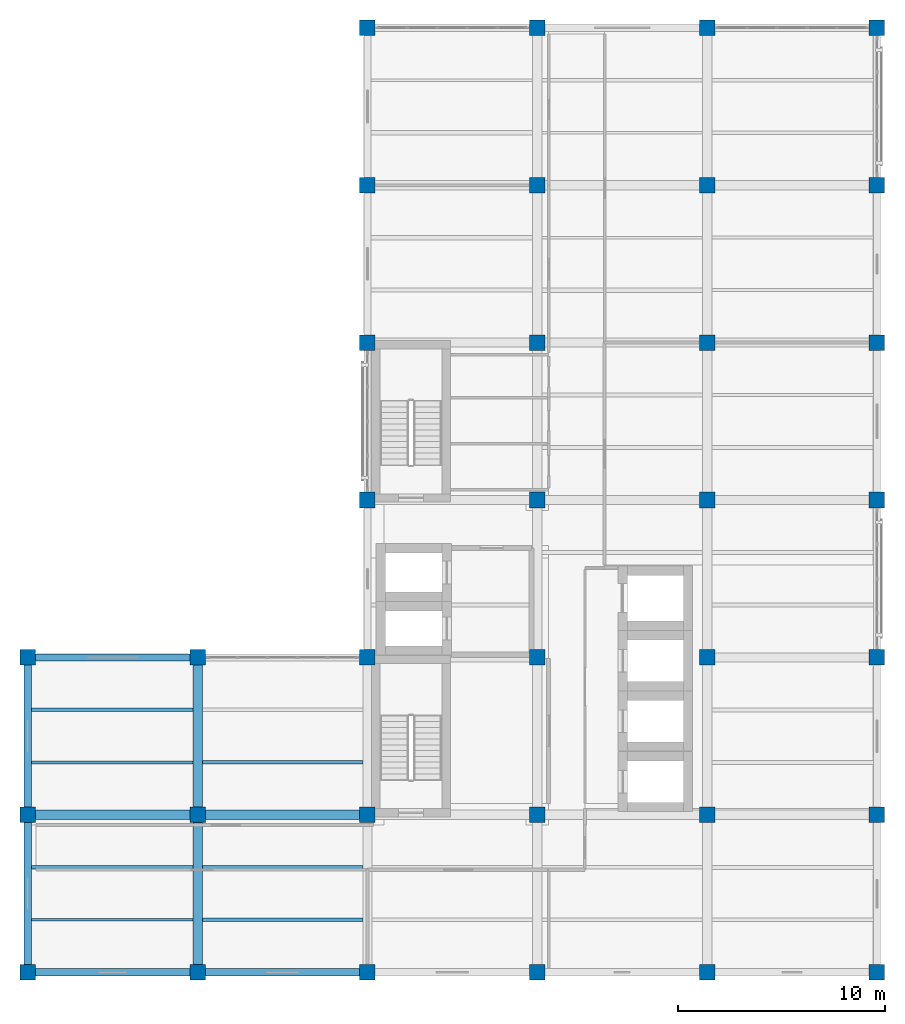
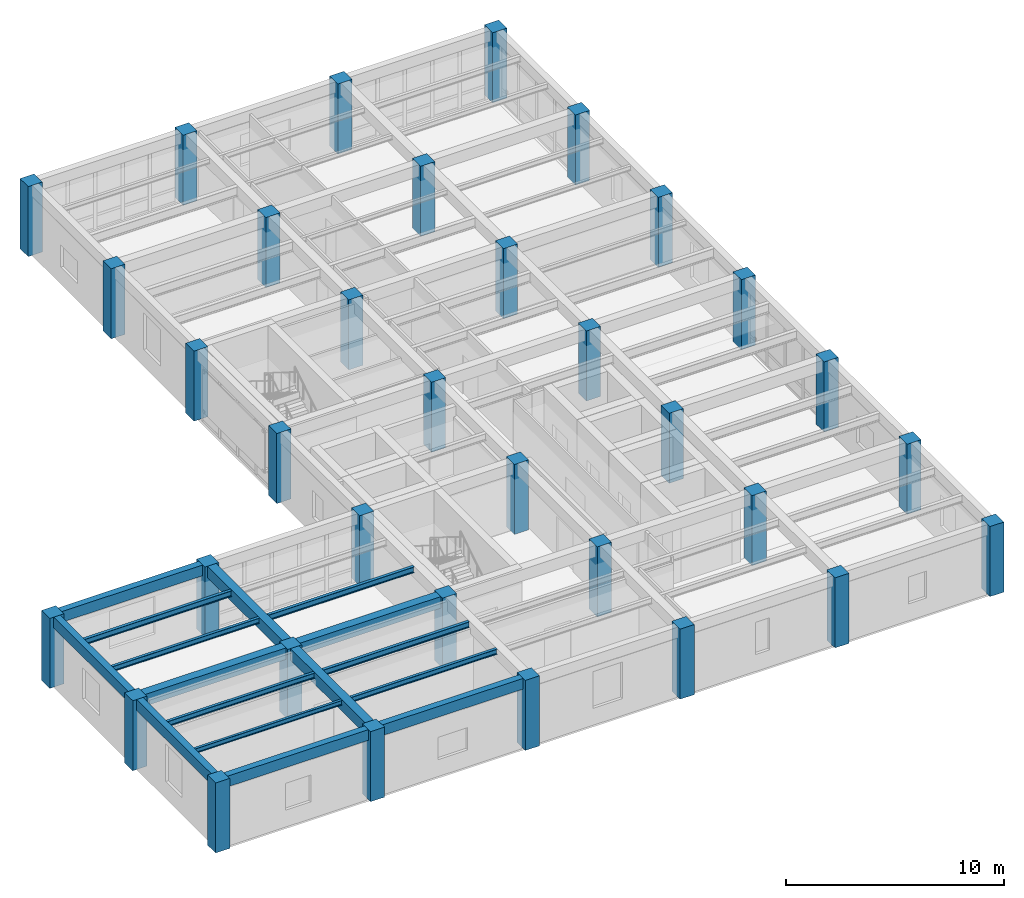
# One storey, part 1 of 13: 34 columns, 16 beams.
"""IFC4 building model written with IfcOpenShell, lengths in metres."""

from ifc_helpers import new_model, si_unit, direction, frame, origin, origin_2d, place, context, subcontext, project, spatial, rectangle, i_section, extrude, material, material_profile, profile_set, type_object, element, save


model = new_model("IFC4")

# Units and contexts
model_context = context("Model", 3, precision=1e-05, world=origin(), true_north=direction((0.0, 1.0)))
body_context = subcontext(model_context, "Body", "Model", "MODEL_VIEW")
ifc_project = project(units=[si_unit("LENGTHUNIT", "METRE"), si_unit("AREAUNIT", "SQUARE_METRE"), si_unit("VOLUMEUNIT", "CUBIC_METRE"), si_unit("PLANEANGLEUNIT", "RADIAN"), si_unit("MASSUNIT", "GRAM", prefix="KILO")], contexts=[model_context])

# Site, building, storey
site_placement = place(None, origin())
site = spatial("IfcSite", under=ifc_project, at=site_placement, CompositionType="ELEMENT")
building_placement = place(site_placement, origin())
building = spatial("IfcBuilding", under=site, at=building_placement, Name="Qandaris Square Conservatory and Botanical Centre", CompositionType="ELEMENT")
storey_placement = place(building_placement, frame((0.0, 0.0, 57.60009765625)))
storey = spatial("IfcBuildingStorey", under=building, at=storey_placement, Name="L13", CompositionType="ELEMENT", Elevation=57.60009765625)

# Columns
ifc_material_1 = material(Name="Concrete C50/60", Category="concrete")
ifc_material_profile_1 = material_profile(ifc_material_1, rectangle(XDim=0.75, YDim=0.75, at=origin_2d()), Name="RC-COL 750x750")
ifc_profile_set_1 = profile_set([ifc_material_profile_1], Name="Concrete C50/60")
column_type = type_object("IfcColumnType", Name="RC Column 750x750", PredefinedType="COLUMN", material=ifc_profile_set_1)
for number, where, z_axis, x_axis, name in (
    (1, (122.800048828125, 16.60009765625, 0.0), (0.0, 0.0, 1.0), (1.0, 0.0, 0.0), "Column B15 (L13)"),
    (2, (122.800048828125, 24.199951171875, 0.0), (0.0, 0.0, 1.0), (1.0, 0.0, 0.0), "Column C15 (L13)"),
    (3, (122.800048828125, 31.800048828125, 0.0), (0.0, 0.0, 1.0), (1.0, 0.0, 0.0), "Column D15 (L13)"),
    (4, (131.0, 16.60009765625, 0.0), (0.0, 0.0, 1.0), (1.0, 0.0, 0.0), "Column B16 (L13)"),
    (5, (131.0, 24.199951171875, 0.0), (0.0, 0.0, 1.0), (1.0, 0.0, 0.0), "Column C16 (L13)"),
    (6, (131.0, 31.800048828125, 0.0), (0.0, 0.0, 1.0), (1.0, 0.0, 0.0), "Column D16 (L13)"),
    (7, (139.199951171875, 16.60009765625, 0.0), (0.0, 0.0, 1.0), (1.0, 0.0, 0.0), "Column B17 (L13)"),
    (8, (139.199951171875, 24.199951171875, 0.0), (0.0, 0.0, 1.0), (1.0, 0.0, 0.0), "Column C17 (L13)"),
    (9, (139.199951171875, 31.800048828125, 0.0), (0.0, 0.0, 1.0), (1.0, 0.0, 0.0), "Column D17 (L13)"),
    (10, (139.199951171875, 39.39990234375, 0.0), (0.0, 0.0, 1.0), (1.0, 0.0, 0.0), "Column E17 (L13)"),
    (11, (139.199951171875, 47.0, 0.0), (0.0, 0.0, 1.0), (1.0, 0.0, 0.0), "Column F17 (L13)"),
    (12, (139.199951171875, 54.60009765625, 0.0), (0.0, 0.0, 1.0), (1.0, 0.0, 0.0), "Column G17 (L13)"),
    (13, (139.199951171875, 62.199951171875, 0.0), (0.0, 0.0, 1.0), (1.0, 0.0, 0.0), "Column H17 (L13)"),
    (14, (147.39990234375, 16.60009765625, 0.0), (0.0, 0.0, 1.0), (1.0, 0.0, 0.0), "Column B18 (L13)"),
    (15, (147.39990234375, 24.199951171875, 0.0), (0.0, 0.0, 1.0), (1.0, 0.0, 0.0), "Column C18 (L13)"),
    (16, (147.39990234375, 31.800048828125, 0.0), (0.0, 0.0, 1.0), (1.0, 0.0, 0.0), "Column D18 (L13)"),
    (17, (147.39990234375, 39.39990234375, 0.0), (0.0, 0.0, 1.0), (1.0, 0.0, 0.0), "Column E18 (L13)"),
    (18, (147.39990234375, 47.0, 0.0), (0.0, 0.0, 1.0), (1.0, 0.0, 0.0), "Column F18 (L13)"),
    (19, (147.39990234375, 54.60009765625, 0.0), (0.0, 0.0, 1.0), (1.0, 0.0, 0.0), "Column G18 (L13)"),
    (20, (147.39990234375, 62.199951171875, 0.0), (0.0, 0.0, 1.0), (1.0, 0.0, 0.0), "Column H18 (L13)"),
    (21, (155.60009765625, 16.60009765625, 0.0), (0.0, 0.0, 1.0), (1.0, 0.0, 0.0), "Column B19 (L13)"),
    (22, (155.60009765625, 24.199951171875, 0.0), (0.0, 0.0, 1.0), (1.0, 0.0, 0.0), "Column C19 (L13)"),
    (23, (155.60009765625, 31.800048828125, 0.0), (0.0, 0.0, 1.0), (1.0, 0.0, 0.0), "Column D19 (L13)"),
    (24, (155.60009765625, 39.39990234375, 0.0), (0.0, 0.0, 1.0), (1.0, 0.0, 0.0), "Column E19 (L13)"),
    (25, (155.60009765625, 47.0, 0.0), (0.0, 0.0, 1.0), (1.0, 0.0, 0.0), "Column F19 (L13)"),
    (26, (155.60009765625, 54.60009765625, 0.0), (0.0, 0.0, 1.0), (1.0, 0.0, 0.0), "Column G19 (L13)"),
    (27, (155.60009765625, 62.199951171875, 0.0), (0.0, 0.0, 1.0), (1.0, 0.0, 0.0), "Column H19 (L13)"),
    (28, (163.800048828125, 16.60009765625, 0.0), (0.0, 0.0, 1.0), (1.0, 0.0, 0.0), "Column B20 (L13)"),
    (29, (163.800048828125, 24.199951171875, 0.0), (0.0, 0.0, 1.0), (1.0, 0.0, 0.0), "Column C20 (L13)"),
    (30, (163.800048828125, 31.800048828125, 0.0), (0.0, 0.0, 1.0), (1.0, 0.0, 0.0), "Column D20 (L13)"),
    (31, (163.800048828125, 39.39990234375, 0.0), (0.0, 0.0, 1.0), (1.0, 0.0, 0.0), "Column E20 (L13)"),
    (32, (163.800048828125, 47.0, 0.0), (0.0, 0.0, 1.0), (1.0, 0.0, 0.0), "Column F20 (L13)"),
    (33, (163.800048828125, 54.60009765625, 0.0), (0.0, 0.0, 1.0), (1.0, 0.0, 0.0), "Column G20 (L13)"),
    (34, (163.800048828125, 62.199951171875, 0.0), (0.0, 0.0, 1.0), (1.0, 0.0, 0.0), "Column H20 (L13)"),
):
    element("IfcColumn", number, at=place(storey_placement, frame(where, z_axis=z_axis, x_axis=x_axis)), inside=storey, type_object=column_type, Name=name, PredefinedType="COLUMN", context=body_context, shape_type="SweptSolid", body=[
        extrude(rectangle(XDim=0.75, YDim=0.75, at=origin_2d()), origin(), (0.0, 0.0, 1.0), 3.919921875),
    ])

# Beams
ifc_material_2 = material(Name="Steel S355", Category="steel")
ifc_material_profile_2 = material_profile(ifc_material_2, i_section(OverallWidth=0.14990234375, OverallDepth=0.300048828125, WebThickness=0.007080078125, FlangeThickness=0.0107421875, FilletRadius=0.014892578125, at=origin_2d()), Name="IPE 300")
ifc_profile_set_2 = profile_set([ifc_material_profile_2], Name="Steel S355")
beam_type_1 = type_object("IfcBeamType", Name="Composite Lab Joist IPE 300", PredefinedType="JOIST", material=ifc_profile_set_2)
for number, where, z_axis, x_axis, name in (
    (35, (122.97509765625, 21.666748046875, 3.760009765625), (1.0, 0.0, 0.0), (0.0, 1.0, 0.0), "L13 Composite Joist 2789"),
    (36, (122.97509765625, 26.7333984375, 3.760009765625), (1.0, 0.0, 0.0), (0.0, 1.0, 0.0), "L13 Composite Joist 2790"),
):
    element("IfcBeam", number, at=place(storey_placement, frame(where, z_axis=z_axis, x_axis=x_axis)), inside=storey, type_object=beam_type_1, Name=name, PredefinedType="JOIST", context=body_context, shape_type="SweptSolid", body=[
        extrude(i_section(OverallWidth=0.14990234375, OverallDepth=0.300048828125, WebThickness=0.007080078125, FlangeThickness=0.0107421875, FilletRadius=0.014892578125, at=origin_2d()), origin(), (0.0, 0.0, 1.0), 7.7998046875),
    ])
beam_1_placement = place(storey_placement, frame((131.22509765625, 19.13330078125, 3.760009765625), z_axis=(1.0, 0.0, 0.0), x_axis=(0.0, 1.0, 0.0)))
element("IfcBeam", 37, at=beam_1_placement, inside=storey, type_object=beam_type_1, Name="L13 Composite Joist 2792", PredefinedType="JOIST", context=body_context, shape_type="SweptSolid", body=[
    extrude(i_section(OverallWidth=0.14990234375, OverallDepth=0.300048828125, WebThickness=0.007080078125, FlangeThickness=0.0107421875, FilletRadius=0.014892578125, at=origin_2d()), origin(), (0.0, 0.0, 1.0), 7.75),
])
ifc_material_profile_3 = material_profile(ifc_material_2, i_section(OverallWidth=0.159912109375, OverallDepth=0.330078125, WebThickness=0.007568359375, FlangeThickness=0.011474609375, FilletRadius=0.01806640625, at=origin_2d()), Name="IPE 330")
ifc_profile_set_3 = profile_set([ifc_material_profile_3], Name="Steel S355")
beam_type_2 = type_object("IfcBeamType", Name="Composite Lab Joist IPE 330", PredefinedType="JOIST", material=ifc_profile_set_3)
beam_2_placement = place(storey_placement, frame((122.97509765625, 29.2666015625, 3.744873046875), z_axis=(1.0, 0.0, 0.0), x_axis=(0.0, 1.0, 0.0)))
element("IfcBeam", 38, at=beam_2_placement, inside=storey, type_object=beam_type_2, Name="L13 Composite Joist 2791", PredefinedType="JOIST", context=body_context, shape_type="SweptSolid", body=[
    extrude(i_section(OverallWidth=0.159912109375, OverallDepth=0.330078125, WebThickness=0.007568359375, FlangeThickness=0.011474609375, FilletRadius=0.01806640625, at=origin_2d()), origin(), (0.0, 0.0, 1.0), 7.7998046875),
])
for number, where, z_axis, x_axis, name in (
    (39, (131.22509765625, 21.666748046875, 3.744873046875), (1.0, 0.0, 0.0), (0.0, 1.0, 0.0), "L13 Composite Joist 2793"),
    (40, (131.22509765625, 26.7333984375, 3.744873046875), (1.0, 0.0, 0.0), (0.0, 1.0, 0.0), "L13 Composite Joist 2794"),
):
    element("IfcBeam", number, at=place(storey_placement, frame(where, z_axis=z_axis, x_axis=x_axis)), inside=storey, type_object=beam_type_2, Name=name, PredefinedType="JOIST", context=body_context, shape_type="SweptSolid", body=[
        extrude(i_section(OverallWidth=0.159912109375, OverallDepth=0.330078125, WebThickness=0.007568359375, FlangeThickness=0.011474609375, FilletRadius=0.01806640625, at=origin_2d()), origin(), (0.0, 0.0, 1.0), 7.75),
    ])
ifc_material_profile_4 = material_profile(ifc_material_1, rectangle(XDim=0.35009765625, YDim=0.60009765625, at=origin_2d()), Name="RC-SP 350x600")
ifc_profile_set_4 = profile_set([ifc_material_profile_4], Name="Concrete C50/60")
beam_type_3 = type_object("IfcBeamType", Name="RC Edge Spandrel Beam 350x600", PredefinedType="SPANDREL", material=ifc_profile_set_4)
for number, where, z_axis, x_axis, name in (
    (41, (122.800048828125, 16.60009765625, 3.619873046875), (1.0, 0.0, 0.0), (0.0, 1.0, 0.0), "L13 Frame Beam 2734"),
    (42, (131.0, 16.60009765625, 3.619873046875), (1.0, 0.0, 0.0), (0.0, 1.0, 0.0), "L13 Frame Beam 2735"),
    (43, (122.800048828125, 31.800048828125, 3.619873046875), (1.0, 0.0, 0.0), (0.0, 1.0, 0.0), "L13 Frame Beam 2744"),
):
    element("IfcBeam", number, at=place(storey_placement, frame(where, z_axis=z_axis, x_axis=x_axis)), inside=storey, type_object=beam_type_3, Name=name, PredefinedType="SPANDREL", context=body_context, shape_type="SweptSolid", body=[
        extrude(rectangle(XDim=0.35009765625, YDim=0.60009765625, at=origin_2d()), origin(), (0.0, 0.0, 1.0), 8.199951171875),
    ])
beam_3_placement = place(storey_placement, frame((122.800048828125, 16.60009765625, 3.619873046875), z_axis=(0.0, 1.0, 0.0), x_axis=(-1.0, 0.0, 0.0)))
element("IfcBeam", 44, at=beam_3_placement, inside=storey, type_object=beam_type_3, Name="L13 Frame Beam 2760", PredefinedType="SPANDREL", context=body_context, shape_type="SweptSolid", body=[
    extrude(rectangle(XDim=0.35009765625, YDim=0.60009765625, at=origin_2d()), origin(), (0.0, 0.0, 1.0), 7.599853515625),
])
beam_4_placement = place(storey_placement, frame((122.800048828125, 24.199951171875, 3.619873046875), z_axis=(0.0, 1.0, 0.0), x_axis=(-1.0, 0.0, 0.0)))
element("IfcBeam", 45, at=beam_4_placement, inside=storey, type_object=beam_type_3, Name="L13 Frame Beam 2761", PredefinedType="SPANDREL", context=body_context, shape_type="SweptSolid", body=[
    extrude(rectangle(XDim=0.35009765625, YDim=0.60009765625, at=origin_2d()), origin(), (0.0, 0.0, 1.0), 7.60009765625),
])
ifc_material_profile_5 = material_profile(ifc_material_1, rectangle(XDim=0.449951171875, YDim=0.64990234375, at=origin_2d()), Name="RC-BM 450x650")
ifc_profile_set_5 = profile_set([ifc_material_profile_5], Name="Concrete C50/60")
beam_type_4 = type_object("IfcBeamType", Name="RC Floor Girder 450x650", PredefinedType="BEAM", material=ifc_profile_set_5)
for number, where, z_axis, x_axis, name in (
    (46, (122.800048828125, 24.199951171875, 3.594970703125), (1.0, 0.0, 0.0), (0.0, 1.0, 0.0), "L13 Frame Beam 2739"),
    (47, (131.0, 24.199951171875, 3.594970703125), (1.0, 0.0, 0.0), (0.0, 1.0, 0.0), "L13 Frame Beam 2740"),
):
    element("IfcBeam", number, at=place(storey_placement, frame(where, z_axis=z_axis, x_axis=x_axis)), inside=storey, type_object=beam_type_4, Name=name, PredefinedType="BEAM", context=body_context, shape_type="SweptSolid", body=[
        extrude(rectangle(XDim=0.449951171875, YDim=0.64990234375, at=origin_2d()), origin(), (0.0, 0.0, 1.0), 8.199951171875),
    ])
beam_5_placement = place(storey_placement, frame((131.0, 16.60009765625, 3.594970703125), z_axis=(0.0, 1.0, 0.0), x_axis=(-1.0, 0.0, 0.0)))
element("IfcBeam", 48, at=beam_5_placement, inside=storey, type_object=beam_type_4, Name="L13 Frame Beam 2762", PredefinedType="BEAM", context=body_context, shape_type="SweptSolid", body=[
    extrude(rectangle(XDim=0.449951171875, YDim=0.64990234375, at=origin_2d()), origin(), (0.0, 0.0, 1.0), 7.599853515625),
])
beam_6_placement = place(storey_placement, frame((131.0, 24.199951171875, 3.594970703125), z_axis=(0.0, 1.0, 0.0), x_axis=(-1.0, 0.0, 0.0)))
element("IfcBeam", 49, at=beam_6_placement, inside=storey, type_object=beam_type_4, Name="L13 Frame Beam 2763", PredefinedType="BEAM", context=body_context, shape_type="SweptSolid", body=[
    extrude(rectangle(XDim=0.449951171875, YDim=0.64990234375, at=origin_2d()), origin(), (0.0, 0.0, 1.0), 7.60009765625),
])
ifc_material_profile_6 = material_profile(ifc_material_2, i_section(OverallWidth=0.135009765625, OverallDepth=0.27001953125, WebThickness=0.006591796875, FlangeThickness=0.01025390625, FilletRadius=0.014892578125, at=origin_2d()), Name="IPE 270")
ifc_profile_set_6 = profile_set([ifc_material_profile_6], Name="Steel S355")
beam_type_5 = type_object("IfcBeamType", Name="Steel Floor Joist IPE 270", PredefinedType="JOIST", material=ifc_profile_set_6)
beam_7_placement = place(storey_placement, frame((122.97509765625, 19.13330078125, 3.77490234375), z_axis=(1.0, 0.0, 0.0), x_axis=(0.0, 1.0, 0.0)))
element("IfcBeam", 50, at=beam_7_placement, inside=storey, type_object=beam_type_5, Name="L13 Composite Joist 2788", PredefinedType="JOIST", context=body_context, shape_type="SweptSolid", body=[
    extrude(i_section(OverallWidth=0.135009765625, OverallDepth=0.27001953125, WebThickness=0.006591796875, FlangeThickness=0.01025390625, FilletRadius=0.014892578125, at=origin_2d()), origin(), (0.0, 0.0, 1.0), 7.7998046875),
])

save(model, "model.ifc")
